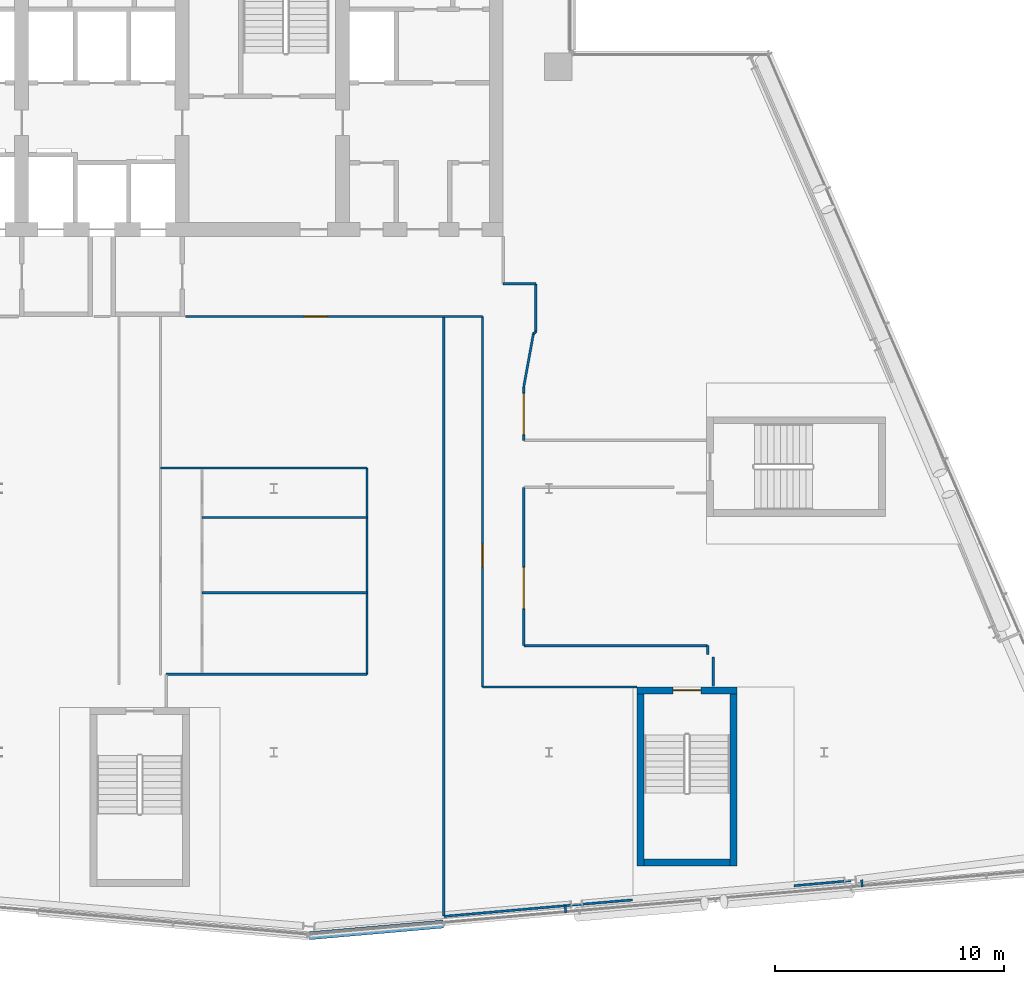
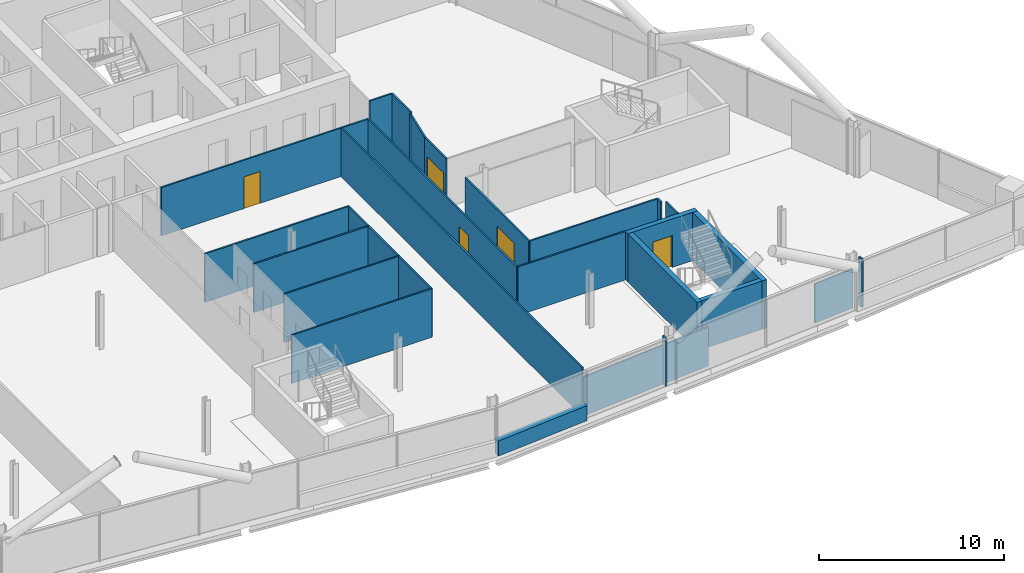
# One storey, part 16 of 25: 28 walls, 5 doors, 5 openings.
"""IFC4 building model written with IfcOpenShell, lengths in metres."""

from ifc_helpers import new_model, si_unit, direction, frame, frame_2d, origin, place, context, subcontext, project, spatial, rectangle, extrude, material, layer, layer_set, type_object, element, fill, save


model = new_model("IFC4")

# Units and contexts
model_context = context("Model", 3, precision=1e-05, world=origin(), true_north=direction((0.0, 1.0)))
body_context = subcontext(model_context, "Body", "Model", "MODEL_VIEW")
ifc_project = project(units=[si_unit("LENGTHUNIT", "METRE"), si_unit("AREAUNIT", "SQUARE_METRE"), si_unit("VOLUMEUNIT", "CUBIC_METRE"), si_unit("PLANEANGLEUNIT", "RADIAN"), si_unit("MASSUNIT", "GRAM", prefix="KILO")], contexts=[model_context])

# Site, building, storey
site_placement = place(None, origin())
site = spatial("IfcSite", under=ifc_project, at=site_placement, CompositionType="ELEMENT")
building_placement = place(site_placement, origin())
building = spatial("IfcBuilding", under=site, at=building_placement, Name="Wharfspan Tower", CompositionType="ELEMENT")
storey_placement = place(building_placement, frame((0.0, 0.0, 239.5)))
storey = spatial("IfcBuildingStorey", under=building, at=storey_placement, Name="L60", CompositionType="ELEMENT", Elevation=239.5)

# Wall, opening, door
ifc_material_1 = material(Name="Gypsum board on steel studs", Category="steel")
ifc_layer_1 = layer(ifc_material_1, 0.100098)
ifc_layer_set_1 = layer_set([ifc_layer_1], Name="Gypsum board on steel studs")
wall_type_1 = type_object("IfcWallType", Name="Compartment wall 100 EI 60", PredefinedType="PARTITIONING", material=ifc_layer_set_1)
wall_1_placement = place(storey_placement, frame((44.149902, 30.5, 0.0), z_axis=(0.0, 0.0, 1.0), x_axis=(1.0, 0.0, 0.0)))
wall_1 = element("IfcWall", 1, at=wall_1_placement, inside=storey, type_object=wall_type_1, Name="Partition L60.w015", PredefinedType="PARTITIONING", context=body_context, shape_type="SweptSolid", body=[
    extrude(rectangle(XDim=12.950195, YDim=0.100098, at=frame_2d((6.475098, 0.0))), origin(), (0.0, 0.0, 1.0), 3.199951),
])
opening_1_placement = place(wall_1_placement, frame((5.169922, 0.0, 0.0)))
opening_1 = element("IfcOpeningElement", 2, at=opening_1_placement, cuts=wall_1, Name="Opening D4-10", PredefinedType="OPENING", context=body_context, shape_type="SweptSolid", body=[
    extrude(rectangle(XDim=1.0, YDim=2.100098, at=frame_2d((0.5, 1.050049))), frame((0.0, 0.060059, 0.0), z_axis=(0.0, -1.0, 0.0), x_axis=(1.0, 0.0, 0.0)), (0.0, 0.0, 1.0), 0.120117),
])
ifc_material_2 = material(Name="Fire-rated timber door leaf in steel frame", Category="steel")
door_type_1 = type_object("IfcDoorType", Name="Door 1000 FD30S Left", OperationType="SINGLE_SWING_LEFT", PredefinedType="DOOR", material=ifc_material_2)
door_1_placement = place(opening_1_placement, origin())
door_1 = element("IfcDoor", 3, at=door_1_placement, inside=storey, type_object=door_type_1, Name="Door D4-10", OperationType="SINGLE_SWING_LEFT", OverallHeight=2.100098, OverallWidth=1.0, PredefinedType="DOOR", context=body_context, shape_type="SweptSolid", body=[
    extrude(rectangle(XDim=1.0, YDim=2.100098, at=frame_2d((0.5, 1.050049))), frame((0.0, 0.024902, 0.0), z_axis=(0.0, -1.0, 0.0), x_axis=(1.0, 0.0, 0.0)), (0.0, 0.0, 1.0), 0.050049),
])
fill(opening_1, door_1)

# Walls
wall_2_placement = place(storey_placement, frame((43.060059, 23.89502, 0.0), z_axis=(0.0, 0.0, 1.0), x_axis=(1.0, 0.0, 0.0)))
element("IfcWall", 4, at=wall_2_placement, inside=storey, type_object=wall_type_1, Name="Partition L60.w016", PredefinedType="PARTITIONING", context=body_context, shape_type="SweptSolid", body=[
    extrude(rectangle(XDim=9.0, YDim=0.100098, at=frame_2d((4.5, 0.0))), origin(), (0.0, 0.0, 1.0), 3.199951),
])
wall_3_placement = place(storey_placement, frame((55.415039, 4.344971, 0.0), z_axis=(0.0, 0.0, 1.0), x_axis=(0.0, 1.0, 0.0)))
element("IfcWall", 5, at=wall_3_placement, inside=storey, type_object=wall_type_1, Name="Partition L60.w024", PredefinedType="PARTITIONING", context=body_context, shape_type="SweptSolid", body=[
    extrude(rectangle(XDim=26.155029, YDim=0.100098, at=frame_2d((13.077637, 0.0))), origin(), (0.0, 0.0, 1.0), 3.199951),
])

# Wall, opening, door
wall_4_placement = place(storey_placement, frame((57.100098, 14.344971, 0.0), z_axis=(0.0, 0.0, 1.0), x_axis=(0.0, 1.0, 0.0)))
wall_4 = element("IfcWall", 6, at=wall_4_placement, inside=storey, type_object=wall_type_1, Name="Partition L60.w026", PredefinedType="PARTITIONING", context=body_context, shape_type="SweptSolid", body=[
    extrude(rectangle(XDim=16.155029, YDim=0.100098, at=frame_2d((8.077637, 0.0))), origin(), (0.0, 0.0, 1.0), 3.199951),
])
opening_2_placement = place(wall_4_placement, frame((5.215088, 0.0, 0.0)))
opening_2 = element("IfcOpeningElement", 7, at=opening_2_placement, cuts=wall_4, Name="Opening D4-04", PredefinedType="OPENING", context=body_context, shape_type="SweptSolid", body=[
    extrude(rectangle(XDim=1.0, YDim=2.100098, at=frame_2d((0.5, 1.050049))), frame((0.0, 0.060059, 0.0), z_axis=(0.0, -1.0, 0.0), x_axis=(1.0, 0.0, 0.0)), (0.0, 0.0, 1.0), 0.120117),
])
door_2_placement = place(opening_2_placement, origin())
door_2 = element("IfcDoor", 8, at=door_2_placement, inside=storey, type_object=door_type_1, Name="Door D4-04", OperationType="SINGLE_SWING_LEFT", OverallHeight=2.100098, OverallWidth=1.0, PredefinedType="DOOR", context=body_context, shape_type="SweptSolid", body=[
    extrude(rectangle(XDim=1.0, YDim=2.100098, at=frame_2d((0.5, 1.050049))), frame((0.0, 0.024902, 0.0), z_axis=(0.0, -1.0, 0.0), x_axis=(1.0, 0.0, 0.0)), (0.0, 0.0, 1.0), 0.050049),
])
fill(opening_2, door_2)

# Walls
wall_5_placement = place(storey_placement, frame((57.100098, 14.344971, 0.0), z_axis=(0.0, 0.0, 1.0), x_axis=(1.0, 0.0, 0.0)))
element("IfcWall", 9, at=wall_5_placement, inside=storey, type_object=wall_type_1, Name="Partition L60.w027", PredefinedType="PARTITIONING", context=body_context, shape_type="SweptSolid", body=[
    extrude(rectangle(XDim=6.743652, YDim=0.100098, at=frame_2d((3.371826, 0.0))), origin(), (0.0, 0.0, 1.0), 3.199951),
])
wall_6_placement = place(storey_placement, frame((58.0, 31.925049, 0.0), z_axis=(0.0, 0.0, 1.0), x_axis=(1.0, 0.0, 0.0)))
element("IfcWall", 10, at=wall_6_placement, inside=storey, type_object=wall_type_1, Name="Partition L60.w029", PredefinedType="PARTITIONING", context=body_context, shape_type="SweptSolid", body=[
    extrude(rectangle(XDim=1.425049, YDim=0.100098, at=frame_2d((0.712402, 0.0))), origin(), (0.0, 0.0, 1.0), 3.199951),
])

# Wall, opening, door
wall_7_placement = place(storey_placement, frame((58.899902, 16.14502, 0.0), z_axis=(0.0, 0.0, 1.0), x_axis=(0.0, 1.0, 0.0)))
wall_7 = element("IfcWall", 11, at=wall_7_placement, inside=storey, type_object=wall_type_1, Name="Partition L60.w030", PredefinedType="PARTITIONING", context=body_context, shape_type="SweptSolid", body=[
    extrude(rectangle(XDim=6.905029, YDim=0.100098, at=frame_2d((3.452637, 0.0))), origin(), (0.0, 0.0, 1.0), 3.199951),
])
opening_3_placement = place(wall_7_placement, frame((1.611328, 0.0, 0.0)))
opening_3 = element("IfcOpeningElement", 12, at=opening_3_placement, cuts=wall_7, Name="Opening D4-02", PredefinedType="OPENING", context=body_context, shape_type="SweptSolid", body=[
    extrude(rectangle(XDim=1.800049, YDim=2.100098, at=frame_2d((0.899902, 1.050049))), frame((0.0, 0.060059, 0.0), z_axis=(0.0, -1.0, 0.0), x_axis=(1.0, 0.0, 0.0)), (0.0, 0.0, 1.0), 0.120117),
])
door_type_2 = type_object("IfcDoorType", Name="Door 1800 FD30S Double", OperationType="DOUBLE_DOOR_SINGLE_SWING", PredefinedType="DOOR", material=ifc_material_2)
door_3_placement = place(opening_3_placement, origin())
door_3 = element("IfcDoor", 13, at=door_3_placement, inside=storey, type_object=door_type_2, Name="Door D4-02", OperationType="DOUBLE_DOOR_SINGLE_SWING", OverallHeight=2.100098, OverallWidth=1.800049, PredefinedType="DOOR", context=body_context, shape_type="SweptSolid", body=[
    extrude(rectangle(XDim=1.800049, YDim=2.100098, at=frame_2d((0.899902, 1.050049))), frame((0.0, 0.024902, 0.0), z_axis=(0.0, -1.0, 0.0), x_axis=(1.0, 0.0, 0.0)), (0.0, 0.0, 1.0), 0.050049),
])
fill(opening_3, door_3)

# Wall
wall_8_placement = place(storey_placement, frame((58.899902, 16.14502, 0.0), z_axis=(0.0, 0.0, 1.0), x_axis=(1.0, 0.0, 0.0)))
element("IfcWall", 14, at=wall_8_placement, inside=storey, type_object=wall_type_1, Name="Partition L60.w031", PredefinedType="PARTITIONING", context=body_context, shape_type="SweptSolid", body=[
    extrude(rectangle(XDim=8.02002, YDim=0.100098, at=frame_2d((4.01001, 0.0))), origin(), (0.0, 0.0, 1.0), 3.199951),
])

# Wall, opening, door
wall_9_placement = place(storey_placement, frame((58.899902, 25.100098, 0.0), z_axis=(0.0, 0.0, 1.0), x_axis=(0.0, 1.0, 0.0)))
wall_9 = element("IfcWall", 15, at=wall_9_placement, inside=storey, type_object=wall_type_1, Name="Partition L60.w033", PredefinedType="PARTITIONING", context=body_context, shape_type="SweptSolid", body=[
    extrude(rectangle(XDim=2.334961, YDim=0.100098, at=frame_2d((1.16748, 0.0))), origin(), (0.0, 0.0, 1.0), 3.199951),
])
opening_4_placement = place(wall_9_placement, frame((0.25, 0.0, 0.0)))
opening_4 = element("IfcOpeningElement", 16, at=opening_4_placement, cuts=wall_9, Name="Opening D4-07", PredefinedType="OPENING", context=body_context, shape_type="SweptSolid", body=[
    extrude(rectangle(XDim=1.800049, YDim=2.100098, at=frame_2d((0.899902, 1.050049))), frame((0.0, 0.060059, 0.0), z_axis=(0.0, -1.0, 0.0), x_axis=(1.0, 0.0, 0.0)), (0.0, 0.0, 1.0), 0.120117),
])
door_4_placement = place(opening_4_placement, origin())
door_4 = element("IfcDoor", 17, at=door_4_placement, inside=storey, type_object=door_type_2, Name="Door D4-07", OperationType="DOUBLE_DOOR_SINGLE_SWING", OverallHeight=2.100098, OverallWidth=1.800049, PredefinedType="DOOR", context=body_context, shape_type="SweptSolid", body=[
    extrude(rectangle(XDim=1.800049, YDim=2.100098, at=frame_2d((0.899902, 1.050049))), frame((0.0, 0.024902, 0.0), z_axis=(0.0, -1.0, 0.0), x_axis=(1.0, 0.0, 0.0)), (0.0, 0.0, 1.0), 0.050049),
])
fill(opening_4, door_4)

# Walls
wall_10_placement = place(storey_placement, frame((58.899902, 27.435059, 0.0), z_axis=(0.0, 0.0, 1.0), x_axis=(0.178584, 0.983924, 0.0)))
element("IfcWall", 18, at=wall_10_placement, inside=storey, type_object=wall_type_1, Name="Partition L60.w035", PredefinedType="PARTITIONING", context=body_context, shape_type="SweptSolid", body=[
    extrude(rectangle(XDim=2.352783, YDim=0.100098, at=frame_2d((1.17627, 0.0))), origin(), (0.0, 0.0, 1.0), 3.199951),
])
wall_11_placement = place(storey_placement, frame((59.320068, 29.75, 0.0), z_axis=(0.0, 0.0, 1.0), x_axis=(0.741581, 0.670872, 0.0)))
element("IfcWall", 19, at=wall_11_placement, inside=storey, type_object=wall_type_1, Name="Partition L60.w036", PredefinedType="PARTITIONING", context=body_context, shape_type="SweptSolid", body=[
    extrude(rectangle(XDim=0.141602, YDim=0.100098, at=frame_2d((0.070801, 0.0))), origin(), (0.0, 0.0, 1.0), 3.199951),
])
wall_12_placement = place(storey_placement, frame((59.425049, 29.844971, 0.0), z_axis=(0.0, 0.0, 1.0), x_axis=(0.0, 1.0, 0.0)))
element("IfcWall", 20, at=wall_12_placement, inside=storey, type_object=wall_type_1, Name="Partition L60.w037", PredefinedType="PARTITIONING", context=body_context, shape_type="SweptSolid", body=[
    extrude(rectangle(XDim=2.080078, YDim=0.100098, at=frame_2d((1.040039, 0.0))), origin(), (0.0, 0.0, 1.0), 3.199951),
])
wall_13_placement = place(storey_placement, frame((66.919922, 15.764893, 0.0), z_axis=(0.0, 0.0, 1.0), x_axis=(0.0, 1.0, 0.0)))
element("IfcWall", 21, at=wall_13_placement, inside=storey, type_object=wall_type_1, Name="Partition L60.w041", PredefinedType="PARTITIONING", context=body_context, shape_type="SweptSolid", body=[
    extrude(rectangle(XDim=0.380127, YDim=0.100098, at=frame_2d((0.189941, 0.0))), origin(), (0.0, 0.0, 1.0), 3.199951),
])
wall_14_placement = place(storey_placement, frame((67.169922, 14.366211, 0.0), z_axis=(0.0, 0.0, 1.0), x_axis=(0.0, 1.0, 0.0)))
element("IfcWall", 22, at=wall_14_placement, inside=storey, type_object=wall_type_1, Name="Partition L60.w042", PredefinedType="PARTITIONING", context=body_context, shape_type="SweptSolid", body=[
    extrude(rectangle(XDim=1.278809, YDim=0.100098, at=frame_2d((0.639404, 0.0))), origin(), (0.0, 0.0, 1.0), 3.199951),
])
ifc_layer_2 = layer(ifc_material_1, 0.100098)
ifc_layer_set_2 = layer_set([ifc_layer_2], Name="Gypsum board on steel studs")
wall_type_2 = type_object("IfcWallType", Name="Partition 100", PredefinedType="PARTITIONING", material=ifc_layer_set_2)
wall_15_placement = place(storey_placement, frame((43.304932, 14.89502, 0.0), z_axis=(0.0, 0.0, 1.0), x_axis=(1.0, 0.0, 0.0)))
element("IfcWall", 23, at=wall_15_placement, inside=storey, type_object=wall_type_2, Name="Partition L60.w018", PredefinedType="PARTITIONING", context=body_context, shape_type="SweptSolid", body=[
    extrude(rectangle(XDim=8.755127, YDim=0.100098, at=frame_2d((4.377441, 0.0))), origin(), (0.0, 0.0, 1.0), 3.199951),
])
for number, where, z_axis, x_axis, name in (
    (24, (44.86499, 18.449951, 0.0), (0.0, 0.0, 1.0), (1.0, 0.0, 0.0), "Partition L60.w020"),
    (25, (44.86499, 21.735107, 0.0), (0.0, 0.0, 1.0), (1.0, 0.0, 0.0), "Partition L60.w021"),
):
    element("IfcWall", number, at=place(storey_placement, frame(where, z_axis=z_axis, x_axis=x_axis)), inside=storey, type_object=wall_type_2, Name=name, PredefinedType="PARTITIONING", context=body_context, shape_type="SweptSolid", body=[
        extrude(rectangle(XDim=7.195068, YDim=0.100098, at=frame_2d((3.597656, 0.0))), origin(), (0.0, 0.0, 1.0), 3.199951),
    ])
wall_16_placement = place(storey_placement, frame((52.064941, 14.89502, 0.0), z_axis=(0.0, 0.0, 1.0), x_axis=(0.0, 1.0, 0.0)))
element("IfcWall", 26, at=wall_16_placement, inside=storey, type_object=wall_type_2, Name="Partition L60.w022", PredefinedType="PARTITIONING", context=body_context, shape_type="SweptSolid", body=[
    extrude(rectangle(XDim=9.0, YDim=0.100098, at=frame_2d((4.5, 0.0))), origin(), (0.0, 0.0, 1.0), 3.199951),
])
wall_17_placement = place(storey_placement, frame((55.415039, 4.340088, 0.0), z_axis=(0.0, 0.0, 1.0), x_axis=(0.996159, 0.087534, 0.0)))
element("IfcWall", 27, at=wall_17_placement, inside=storey, type_object=wall_type_2, Name="Partition L60.w023", PredefinedType="PARTITIONING", context=body_context, shape_type="SweptSolid", body=[
    extrude(rectangle(XDim=5.310303, YDim=0.100098, at=frame_2d((2.655273, 0.0))), origin(), (0.0, 0.0, 1.0), 2.580078),
])
wall_18_placement = place(storey_placement, frame((60.705078, 4.804932, 0.0), z_axis=(0.0, 0.0, 1.0), x_axis=(0.996324, 0.085692, 0.0)))
element("IfcWall", 28, at=wall_18_placement, inside=storey, type_object=wall_type_2, Name="Partition L60.w038", PredefinedType="PARTITIONING", context=body_context, shape_type="SweptSolid", body=[
    extrude(rectangle(XDim=2.95459, YDim=0.100098, at=frame_2d((1.477295, 0.0))), origin(), (0.0, 0.0, 1.0), 2.580078),
])
wall_19_placement = place(storey_placement, frame((60.73291, 4.49707, 0.0), z_axis=(0.0, 0.0, 1.0), x_axis=(-0.090037, 0.995936, 0.0)))
element("IfcWall", 29, at=wall_19_placement, inside=storey, type_object=wall_type_2, Name="Partition L60.w039", PredefinedType="PARTITIONING", context=body_context, shape_type="SweptSolid", body=[
    extrude(rectangle(XDim=0.309082, YDim=0.100098, at=frame_2d((0.154541, 0.0))), origin(), (0.0, 0.0, 1.0), 3.199951),
])
wall_20_placement = place(storey_placement, frame((70.688721, 5.676758, 0.0), z_axis=(0.0, 0.0, 1.0), x_axis=(0.996136, 0.087799, 0.0)))
element("IfcWall", 30, at=wall_20_placement, inside=storey, type_object=wall_type_2, Name="Partition L60.w043", PredefinedType="PARTITIONING", context=body_context, shape_type="SweptSolid", body=[
    extrude(rectangle(XDim=2.48584, YDim=0.100098, at=frame_2d((1.24292, 0.0))), origin(), (0.0, 0.0, 1.0), 2.580078),
])
wall_21_placement = place(storey_placement, frame((73.66333, 5.628174, 0.0), z_axis=(0.0, 0.0, 1.0), x_axis=(-0.091893, 0.995772, 0.0)))
element("IfcWall", 31, at=wall_21_placement, inside=storey, type_object=wall_type_2, Name="Partition L60.w045", PredefinedType="PARTITIONING", context=body_context, shape_type="SweptSolid", body=[
    extrude(rectangle(XDim=0.308105, YDim=0.100098, at=frame_2d((0.154053, 0.0))), origin(), (0.0, 0.0, 1.0), 3.199951),
])
ifc_material_3 = material(Name="Concrete C40/50", Category="concrete")
ifc_layer_3 = layer(ifc_material_3, 0.350098)
ifc_layer_set_3 = layer_set([ifc_layer_3], Name="Concrete C40/50")
wall_type_3 = type_object("IfcWallType", Name="SPANDREL EXPOSED CONCRETE 350", PredefinedType="SOLIDWALL", material=ifc_layer_set_3)
wall_22_placement = place(storey_placement, frame((49.54541, 3.493164, 0.0), z_axis=(0.0, 0.0, 1.0), x_axis=(0.996196, 0.087138, 0.0)))
element("IfcWall", 32, at=wall_22_placement, inside=storey, type_object=wall_type_3, Name="Spandrel upstand L60 S2 1", PredefinedType="SOLIDWALL", context=body_context, shape_type="SweptSolid", body=[
    extrude(rectangle(XDim=5.864014, YDim=0.350098, at=frame_2d((2.932129, 0.0))), origin(), (0.0, 0.0, 1.0), 1.0),
])

# Wall, opening, door
ifc_layer_4 = layer(ifc_material_3, 0.300049)
ifc_layer_set_4 = layer_set([ifc_layer_4], Name="Concrete C40/50")
wall_type_4 = type_object("IfcWallType", Name="Stair core wall 300", PredefinedType="SHEAR", material=ifc_layer_set_4)
wall_23_placement = place(storey_placement, frame((63.84375, 14.196289, 0.0), z_axis=(0.0, 0.0, 1.0), x_axis=(1.0, 0.0, 0.0)))
wall_23 = element("IfcWall", 33, at=wall_23_placement, inside=storey, type_object=wall_type_4, Name="ST5 stair enclosure wall L60", PredefinedType="SHEAR", context=body_context, shape_type="SweptSolid", body=[
    extrude(rectangle(XDim=4.350098, YDim=0.300049, at=frame_2d((2.175049, 0.0))), origin(), (0.0, 0.0, 1.0), 3.199951),
])
opening_5_placement = place(wall_23_placement, frame((1.574951, 0.0, 0.0)))
opening_5 = element("IfcOpeningElement", 34, at=opening_5_placement, cuts=wall_23, Name="Opening SD5.L60", PredefinedType="OPENING", context=body_context, shape_type="SweptSolid", body=[
    extrude(rectangle(XDim=1.199951, YDim=2.100098, at=frame_2d((0.600098, 1.050049))), frame((0.0, 0.159912, 0.0), z_axis=(0.0, -1.0, 0.0), x_axis=(1.0, 0.0, 0.0)), (0.0, 0.0, 1.0), 0.320068),
])
ifc_material_4 = material(Name="Steel door leaf", Category="steel")
door_type_3 = type_object("IfcDoorType", Name="Stair door 1200x2100", OperationType="SINGLE_SWING_LEFT", PredefinedType="DOOR", material=ifc_material_4)
door_5_placement = place(opening_5_placement, origin())
door_5 = element("IfcDoor", 35, at=door_5_placement, inside=storey, type_object=door_type_3, Name="sd:L60:ST5z4", OperationType="SINGLE_SWING_RIGHT", OverallHeight=2.100098, OverallWidth=1.199951, PredefinedType="DOOR", context=body_context, shape_type="SweptSolid", body=[
    extrude(rectangle(XDim=1.199951, YDim=2.100098, at=frame_2d((0.600098, 1.050049))), frame((0.0, 0.024902, 0.0), z_axis=(0.0, -1.0, 0.0), x_axis=(1.0, 0.0, 0.0)), (0.0, 0.0, 1.0), 0.050049),
])
fill(opening_5, door_5)

# Walls
for number, where, z_axis, x_axis, name in (
    (36, (63.993896, 6.546143, 0.0), (0.0, 0.0, 1.0), (0.0, 1.0, 0.0), "ST5 stair enclosure wall L60"),
    (37, (68.043701, 6.546143, 0.0), (0.0, 0.0, 1.0), (0.0, 1.0, 0.0), "ST5 stair enclosure wall L60"),
):
    element("IfcWall", number, at=place(storey_placement, frame(where, z_axis=z_axis, x_axis=x_axis)), inside=storey, type_object=wall_type_4, Name=name, PredefinedType="SHEAR", context=body_context, shape_type="SweptSolid", body=[
        extrude(rectangle(XDim=7.5, YDim=0.300049, at=frame_2d((3.75, 0.0))), origin(), (0.0, 0.0, 1.0), 3.199951),
    ])
wall_24_placement = place(storey_placement, frame((64.143799, 6.696289, 0.0), z_axis=(0.0, 0.0, 1.0), x_axis=(1.0, 0.0, 0.0)))
element("IfcWall", 38, at=wall_24_placement, inside=storey, type_object=wall_type_4, Name="ST5 stair enclosure wall L60", PredefinedType="SHEAR", context=body_context, shape_type="SweptSolid", body=[
    extrude(rectangle(XDim=3.75, YDim=0.300049, at=frame_2d((1.875, 0.0))), origin(), (0.0, 0.0, 1.0), 3.199951),
])

save(model, "model.ifc")
